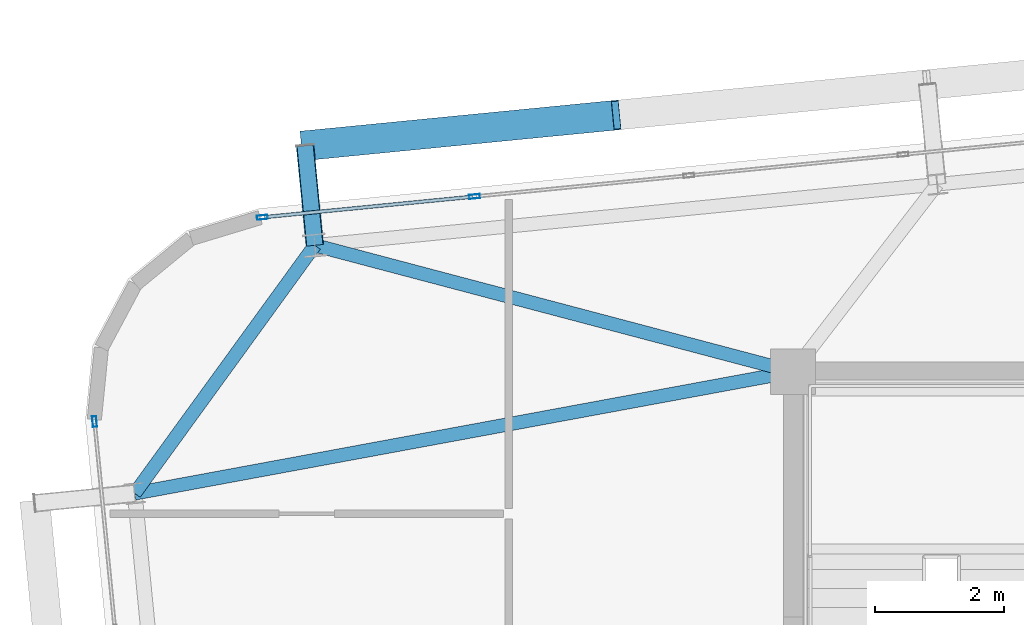
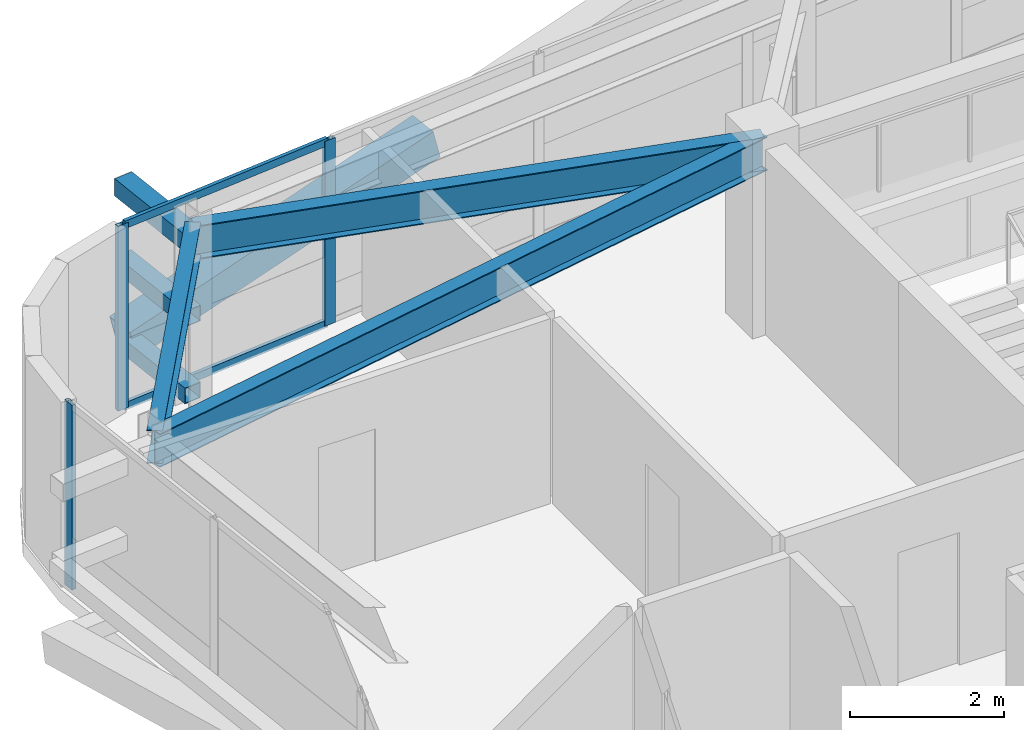
# One storey, part 27 of 53: 9 members, 3 beams, 2 elements without a shape of their own.
"""IFC4 building model written with IfcOpenShell, lengths in metres."""

from ifc_helpers import new_model, si_unit, direction, frame, origin, origin_2d, place, context, subcontext, project, spatial, hollow_rectangle, i_section, extrude, source, transform, mapped, material, layer, layer_set, material_profile, profile_set, type_object, element, aggregate, save


model = new_model("IFC4")

# Units and contexts
model_context = context("Model", 3, precision=1e-05, world=origin(), true_north=direction((0.0, 1.0)))
body_context = subcontext(model_context, "Body", "Model", "MODEL_VIEW")
ifc_project = project(units=[si_unit("LENGTHUNIT", "METRE"), si_unit("AREAUNIT", "SQUARE_METRE"), si_unit("VOLUMEUNIT", "CUBIC_METRE"), si_unit("PLANEANGLEUNIT", "RADIAN"), si_unit("MASSUNIT", "GRAM", prefix="KILO")], contexts=[model_context])

# Site, building, storey
site_placement = place(None, origin())
site = spatial("IfcSite", under=ifc_project, at=site_placement, CompositionType="ELEMENT")
building_placement = place(site_placement, origin())
building = spatial("IfcBuilding", under=site, at=building_placement, Name="Taldren Reach Tower", CompositionType="ELEMENT")
storey_placement = place(building_placement, frame((0.0, 0.0, 80.85009765625)))
storey = spatial("IfcBuildingStorey", under=building, at=storey_placement, Name="L24", CompositionType="ELEMENT", Elevation=80.85009765625)

# Beams
ifc_material_1 = material(Name="Steel Gr 350 (350PLUS)", Category="steel")
ifc_material_profile_1 = material_profile(ifc_material_1, i_section(OverallWidth=0.208984375, OverallDepth=0.528076171875, WebThickness=0.009521484375, FlangeThickness=0.01318359375, at=origin_2d()), Name="530UB82.0")
ifc_profile_set_1 = profile_set([ifc_material_profile_1], Name="Steel Gr 350 (350PLUS)")
beam_type_1 = type_object("IfcBeamType", Name="SP-UB530B", PredefinedType="SPANDREL", material=ifc_profile_set_1)
shared_shape_1 = source(origin(), body_context, "Body", "SweptSolid", [
    extrude(i_section(OverallWidth=0.208984375, OverallDepth=0.528076171875, WebThickness=0.009521484375, FlangeThickness=0.01318359375, at=origin_2d()), origin(), (0.0, 0.0, 1.0), 4.74609375),
])
beam_1_placement = place(storey_placement, frame((11.596923828125, 33.956787109375, 2.666015625), z_axis=(-0.587565912237, -0.809176308833, 0.0), x_axis=(0.809176308833, -0.587565912237, 0.0)))
element("IfcBeam", 1, at=beam_1_placement, inside=storey, type_object=beam_type_1, Name="Perimeter spandrel B2 N1-W3 L24", PredefinedType="SPANDREL", context=body_context, shape_type="MappedRepresentation", body=[
    mapped(shared_shape_1, transform((0.0, 0.0, 0.0), scale=1.0)),
])
ifc_material_profile_2 = material_profile(ifc_material_1, i_section(OverallWidth=0.208984375, OverallDepth=0.532958984375, WebThickness=0.01025390625, FlangeThickness=0.015625, at=origin_2d()), Name="530UB92.4")
ifc_profile_set_2 = profile_set([ifc_material_profile_2], Name="Steel Gr 350 (350PLUS)")
beam_type_2 = type_object("IfcBeamType", Name="BM-UB530A", PredefinedType="BEAM", material=ifc_profile_set_2)
shared_shape_2 = source(origin(), body_context, "Body", "SweptSolid", [
    extrude(i_section(OverallWidth=0.208984375, OverallDepth=0.532958984375, WebThickness=0.01025390625, FlangeThickness=0.015625, at=origin_2d()), origin(), (0.0, 0.0, 1.0), 7.6572265625),
])
beam_2_placement = place(storey_placement, frame((19.0, 32.0, 2.663330078125), z_axis=(-0.966797258245, 0.255544636904, 0.0), x_axis=(-0.255544636904, -0.966797258245, 0.0)))
element("IfcBeam", 2, at=beam_2_placement, inside=storey, type_object=beam_type_2, Name="Primary floor girder B2-N1 L24", PredefinedType="BEAM", context=body_context, shape_type="MappedRepresentation", body=[
    mapped(shared_shape_2, transform((0.0, 0.0, 0.0), scale=1.0)),
])
shared_shape_3 = source(origin(), body_context, "Body", "SweptSolid", [
    extrude(i_section(OverallWidth=0.208984375, OverallDepth=0.532958984375, WebThickness=0.01025390625, FlangeThickness=0.015625, at=origin_2d()), origin(), (0.0, 0.0, 1.0), 10.3642578125),
])
beam_3_placement = place(storey_placement, frame((19.0, 32.0, 2.663330078125), z_axis=(-0.983347548213, -0.181734970283, 0.0), x_axis=(0.181734970283, -0.983347548213, 0.0)))
element("IfcBeam", 3, at=beam_3_placement, inside=storey, type_object=beam_type_2, Name="Primary floor girder B2-W3 L24", PredefinedType="BEAM", context=body_context, shape_type="MappedRepresentation", body=[
    mapped(shared_shape_3, transform((0.0, 0.0, 0.0), scale=1.0)),
])

# Members
ifc_material_2 = material(Name="Steel Gr 450 (C450L0)", Category="steel")
ifc_material_profile_3 = material_profile(ifc_material_2, hollow_rectangle(XDim=0.27490234375, YDim=0.27490234375, WallThickness=0.00927734375, at=origin_2d()), Name="275x275x9.3SHS")
ifc_profile_set_3 = profile_set([ifc_material_profile_3], Name="Steel Gr 450 (C450L0)")
member_type_1 = type_object("IfcMemberType", Name="MB-TIE273", PredefinedType="STRUT", material=ifc_profile_set_3)
shared_shape_4 = source(origin(), body_context, "Body", "SweptSolid", [
    extrude(hollow_rectangle(XDim=0.27490234375, YDim=0.27490234375, WallThickness=0.00927734375, at=origin_2d()), origin(), (0.0, 0.0, 1.0), 1.550048828125),
])
member_1_placement = place(storey_placement, frame((11.596923828125, 33.956787109375, 2.64990234375), z_axis=(-0.097647892962, 0.9952210252, 0.0), x_axis=(-0.9952210252, -0.097647892962, 0.0)))
element("IfcMember", 4, at=member_1_placement, inside=storey, type_object=member_type_1, Name="Exoskeleton diaphragm tie strut B2-N1 L24", PredefinedType="STRUT", context=body_context, shape_type="MappedRepresentation", body=[
    mapped(shared_shape_4, transform((0.0, 0.0, 0.0), scale=1.0)),
])
ifc_material_profile_4 = material_profile(ifc_material_2, hollow_rectangle(XDim=0.4599609375, YDim=0.4599609375, WallThickness=0.01611328125, at=origin_2d()), Name="460x460x16.0SHS")
ifc_profile_set_4 = profile_set([ifc_material_profile_4], Name="Steel Gr 450 (C450L0)")
member_type_2 = type_object("IfcMemberType", Name="MB-EXO457", PredefinedType="BRACE", material=ifc_profile_set_4)
shared_shape_5 = source(origin(), body_context, "Body", "SweptSolid", [
    extrude(hollow_rectangle(XDim=0.4599609375, YDim=0.4599609375, WallThickness=0.01611328125, at=origin_2d()), origin(), (0.0, 0.0, 1.0), 4.990234375),
])
member_2_placement = place(storey_placement, frame((11.445556640625, 35.49951171875, 0.219970703125), z_axis=(0.965287024526, 0.094620633828, 0.24344998652), x_axis=(-0.097555749586, 0.995230061706, 0.0)))
element("IfcMember", 5, at=member_2_placement, inside=storey, type_object=member_type_2, Name="Exoskeleton Diagrid Brace B2-N1 L24", PredefinedType="BRACE", context=body_context, shape_type="MappedRepresentation", body=[
    mapped(shared_shape_5, transform((0.0, 0.0, 0.0), scale=1.0)),
])
ifc_material_3 = material(Name="Steel Gr 350 (C350L0)", Category="steel")
ifc_material_profile_5 = material_profile(ifc_material_3, hollow_rectangle(XDim=0.25, YDim=0.25, WallThickness=0.010009765625, at=origin_2d()), Name="250x250x10.0SHS")
ifc_profile_set_5 = profile_set([ifc_material_profile_5], Name="Steel Gr 350 (C350L0)")
member_type_3 = type_object("IfcMemberType", Name="MB-POST250", PredefinedType="POST", material=ifc_profile_set_5)
shared_shape_6 = source(origin(), body_context, "Body", "SweptSolid", [
    extrude(hollow_rectangle(XDim=0.25, YDim=0.25, WallThickness=0.010009765625, at=origin_2d()), origin(), (0.0, 0.0, 1.0), 1.550048828125),
])
for number, where, z_axis, x_axis, name in (
    (6, (11.596923828125, 33.956787109375, 0.219970703125), (-0.097647892962, 0.9952210252, 0.0), (-0.9952210252, -0.097647892962, 0.0), "Exoskeleton base diaphragm tie strut B2-N1 L24"),
    (7, (11.596923828125, 33.956787109375, 1.434814453125), (-0.097647892962, 0.9952210252, 0.0), (-0.9952210252, -0.097647892962, 0.0), "Exoskeleton mid-tier diaphragm tie B2-N1 L24"),
):
    element("IfcMember", number, at=place(storey_placement, frame(where, z_axis=z_axis, x_axis=x_axis)), inside=storey, type_object=member_type_3, Name=name, PredefinedType="POST", context=body_context, shape_type="MappedRepresentation", body=[
        mapped(shared_shape_6, transform((0.0, 0.0, 0.0), scale=1.0)),
    ])

# Curtain wall, members
ifc_material_4 = material(Name="Aluminium and Low-E Glass Unitised System", Category="aluminium")
ifc_layer = layer(ifc_material_4, 0.159912109375)
ifc_layer_set = layer_set([ifc_layer], Name="Aluminium and Low-E Glass Unitised System")
curtain_wall_type = type_object("IfcCurtainWallType", Name="CW-SYS-3", PredefinedType="NOTDEFINED", material=ifc_layer_set)
curtain_wall_1_placement = place(storey_placement, origin())
curtain_wall_1 = element("IfcCurtainWall", 8, at=curtain_wall_1_placement, inside=storey, type_object=curtain_wall_type, Name="Unitised curtain wall CW-L24-N", PredefinedType="NOTDEFINED")
ifc_material_5 = material(Name="Anodised Aluminium 6063-T6", Category="aluminium")
ifc_material_profile_6 = material_profile(ifc_material_5, hollow_rectangle(XDim=0.06494140625, YDim=0.1650390625, WallThickness=0.00390625, at=origin_2d()), Name="ALU-165x65x4RHS")
ifc_profile_set_6 = profile_set([ifc_material_profile_6], Name="Anodised Aluminium 6063-T6")
member_type_4 = type_object("IfcMemberType", Name="CW-MUL-165", PredefinedType="MULLION", material=ifc_profile_set_6)
shared_shape_7 = source(origin(), body_context, "Body", "SweptSolid", [
    extrude(hollow_rectangle(XDim=0.06494140625, YDim=0.1650390625, WallThickness=0.00390625, at=origin_2d()), origin(), (0.0, 0.0, 1.0), 2.929931640625),
])
member_3_placement = place(storey_placement, frame((14.068359375, 34.711669921875, 0.0), z_axis=(0.0, 0.0, 1.0), x_axis=(0.097582999046, -0.995227390247, 0.0)))
member_3 = element("IfcMember", 9, at=member_3_placement, type_object=member_type_4, Name="CW-3 mullion 15", PredefinedType="MULLION", context=body_context, shape_type="MappedRepresentation", body=[
    mapped(shared_shape_7, transform((0.0, 0.0, 0.0), scale=1.0)),
])
member_4_placement = place(storey_placement, frame((10.783203125, 34.3896484375, 0.0), z_axis=(0.0, 0.0, 1.0), x_axis=(0.097582999046, -0.995227390247, 0.0)))
member_4 = element("IfcMember", 10, at=member_4_placement, type_object=member_type_4, Name="CW-3 mullion 16", PredefinedType="MULLION", context=body_context, shape_type="MappedRepresentation", body=[
    mapped(shared_shape_7, transform((0.0, 0.0, 0.0), scale=1.0)),
])

# Curtain wall, member
curtain_wall_2_placement = place(storey_placement, origin())
curtain_wall_2 = element("IfcCurtainWall", 11, at=curtain_wall_2_placement, inside=storey, type_object=curtain_wall_type, Name="Unitised curtain wall CW-L24-W", PredefinedType="NOTDEFINED")
member_5_placement = place(storey_placement, frame((8.186767578125, 31.228515625, 0.0), z_axis=(0.0, 0.0, 1.0), x_axis=(0.99522741555, 0.09758274098, 0.0)))
member_5 = element("IfcMember", 12, at=member_5_placement, type_object=member_type_4, Name="CW-3 mullion 1", PredefinedType="MULLION", context=body_context, shape_type="MappedRepresentation", body=[
    mapped(shared_shape_7, transform((0.0, 0.0, 0.0), scale=1.0)),
])
aggregate(curtain_wall_2, [member_5])

# Member
ifc_material_profile_7 = material_profile(ifc_material_5, hollow_rectangle(XDim=0.054931640625, YDim=0.1201171875, WallThickness=0.0029296875, at=origin_2d()), Name="ALU-120x55x3RHS")
ifc_profile_set_7 = profile_set([ifc_material_profile_7], Name="Anodised Aluminium 6063-T6")
member_type_5 = type_object("IfcMemberType", Name="CW-TRN-135", PredefinedType="USERDEFINED", material=ifc_profile_set_7)
shared_shape_8 = source(origin(), body_context, "Body", "SweptSolid", [
    extrude(hollow_rectangle(XDim=0.054931640625, YDim=0.1201171875, WallThickness=0.0029296875, at=origin_2d()), origin(), (0.0, 0.0, 1.0), 3.235595703125),
])
member_6_placement = place(storey_placement, frame((14.035888671875, 34.70849609375, 0.02734375), z_axis=(-0.995229530729, -0.09756116628, 0.0), x_axis=(0.09756116628, -0.995229530729, 0.0)))
member_6 = element("IfcMember", 13, at=member_6_placement, type_object=member_type_5, Name="CW-3 transom 15.1", ObjectType="TRANSOM", PredefinedType="USERDEFINED", context=body_context, shape_type="MappedRepresentation", body=[
    mapped(shared_shape_8, transform((0.0, 0.0, 0.0), scale=1.0)),
])

member_7_placement = place(storey_placement, frame((14.035888671875, 34.70849609375, 2.90234375), z_axis=(-0.995229530729, -0.09756116628, 0.0), x_axis=(0.09756116628, -0.995229530729, 0.0)))
member_7 = element("IfcMember", 14, at=member_7_placement, type_object=member_type_5, Name="CW-3 transom 15.2", ObjectType="TRANSOM", PredefinedType="USERDEFINED", context=body_context, shape_type="MappedRepresentation", body=[
    mapped(shared_shape_8, transform((0.0, 0.0, 0.0), scale=1.0)),
])

aggregate(curtain_wall_1, [member_3, member_4, member_6, member_7])

save(model, "model.ifc")
